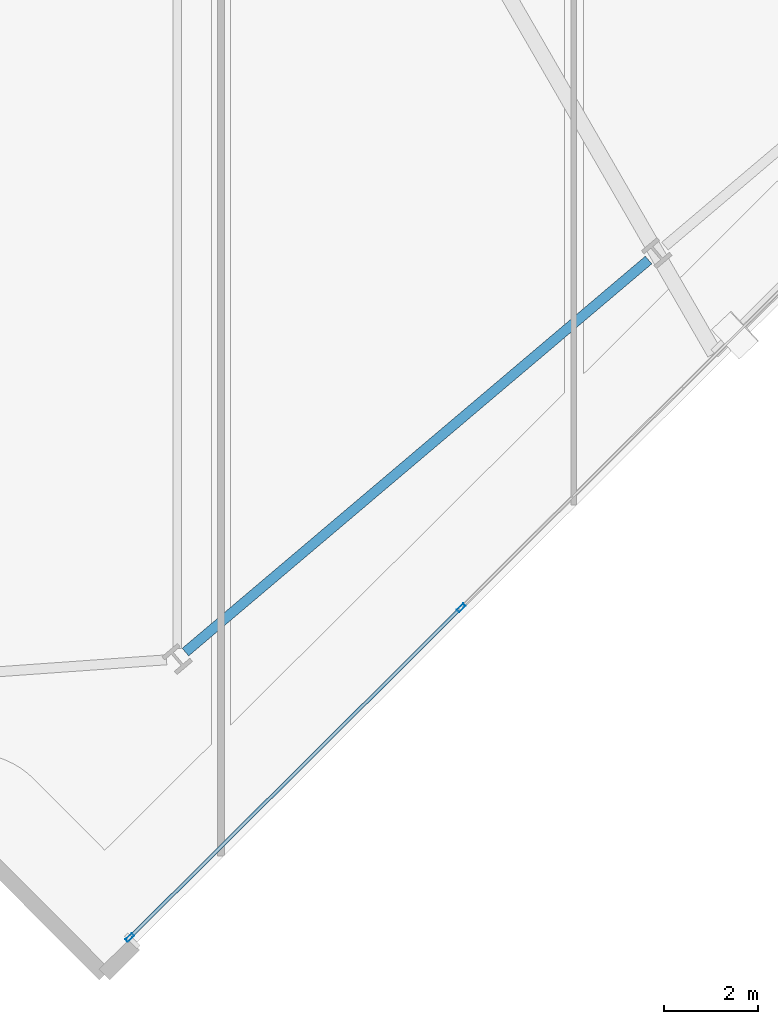
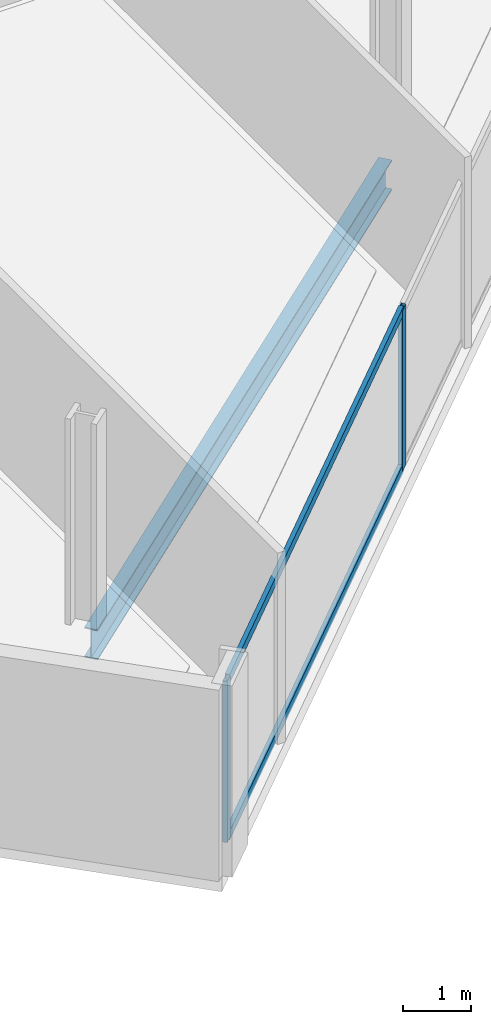
# One storey, part 6 of 32: 4 members, 1 beam, 1 element without a shape of its own.
"""IFC4 building model written with IfcOpenShell, lengths in metres."""

from ifc_helpers import new_model, si_unit, direction, frame, origin, origin_2d, place, context, subcontext, project, spatial, hollow_rectangle, i_section, extrude, material, material_profile, profile_set, type_object, element, aggregate, save


model = new_model("IFC4")

# Units and contexts
model_context = context("Model", 3, precision=1e-05, world=origin(), true_north=direction((0.0, 1.0)))
body_context = subcontext(model_context, "Body", "Model", "MODEL_VIEW")
ifc_project = project(units=[si_unit("LENGTHUNIT", "METRE"), si_unit("AREAUNIT", "SQUARE_METRE"), si_unit("VOLUMEUNIT", "CUBIC_METRE"), si_unit("PLANEANGLEUNIT", "RADIAN"), si_unit("MASSUNIT", "GRAM", prefix="KILO")], contexts=[model_context])

# Site, building, storey
site_placement = place(None, origin())
site = spatial("IfcSite", under=ifc_project, at=site_placement, CompositionType="ELEMENT")
building_placement = place(site_placement, origin())
building = spatial("IfcBuilding", under=site, at=building_placement, Name="Haldenkirk Collegiate Tower", CompositionType="ELEMENT")
storey_placement = place(building_placement, frame((0.0, 0.0, 178.199951171875)))
storey = spatial("IfcBuildingStorey", under=building, at=storey_placement, Name="L44", CompositionType="ELEMENT", Elevation=178.199951171875)

# Beam
ifc_material_1 = material(Name="Steel ASTM A992 Grade 50", Category="steel")
ifc_material_profile_1 = material_profile(ifc_material_1, i_section(OverallWidth=0.2119140625, OverallDepth=0.5439453125, WebThickness=0.01318359375, FlangeThickness=0.021240234375, at=origin_2d()), Name="W21X83")
ifc_profile_set_1 = profile_set([ifc_material_profile_1], Name="Steel ASTM A992 Grade 50")
beam_type = type_object("IfcBeamType", Name="BM-SPANDREL-W21X83", PredefinedType="SPANDREL", material=ifc_profile_set_1)
beam_placement = place(storey_placement, frame((39.743408203125, 1.261474609375, -0.56201171875), z_axis=(0.763233335078, 0.646122957514, 0.0), x_axis=(-0.646122957514, 0.763233335078, 0.0)))
element("IfcBeam", 1, at=beam_placement, inside=storey, type_object=beam_type, Name="L44 perimeter spandrel beam 02", PredefinedType="SPANDREL", context=body_context, shape_type="SweptSolid", body=[
    extrude(i_section(OverallWidth=0.2119140625, OverallDepth=0.5439453125, WebThickness=0.01318359375, FlangeThickness=0.021240234375, at=origin_2d()), origin(), (0.0, 0.0, 1.0), 12.898193359375),
])

# Curtain wall, members
ifc_material_2 = material(Name="Anodised architectural bronze aluminium", Category="aluminium")
curtain_wall_type = type_object("IfcCurtainWallType", Name="CW-SYS2-CONCAVE", PredefinedType="USERDEFINED", material=ifc_material_2)
curtain_wall_placement = place(storey_placement, origin())
curtain_wall = element("IfcCurtainWall", 2, at=curtain_wall_placement, inside=storey, type_object=curtain_wall_type, Name="L44 South concave recessed bronze-anodised curtain wall", ObjectType="UNITISED CURTAIN WALL", PredefinedType="USERDEFINED")
ifc_material_profile_2 = material_profile(ifc_material_2, hollow_rectangle(XDim=0.074951171875, YDim=0.18994140625, WallThickness=0.0048828125, at=origin_2d()), Name="CW-MUL-02")
ifc_profile_set_2 = profile_set([ifc_material_profile_2], Name="Anodised architectural bronze aluminium")
member_type_1 = type_object("IfcMemberType", Name="CW-MUL-02", PredefinedType="MULLION", material=ifc_profile_set_2)
member_1_placement = place(storey_placement, frame((45.60400390625, 2.201904296875, 0.0), z_axis=(0.0, 0.0, 1.0), x_axis=(0.705254740393, -0.708953983805, 0.0)))
member_1 = element("IfcMember", 3, at=member_1_placement, type_object=member_type_1, Name="CW-02 mullion 4", PredefinedType="MULLION", context=body_context, shape_type="SweptSolid", body=[
    extrude(hollow_rectangle(XDim=0.074951171875, YDim=0.18994140625, WallThickness=0.0048828125, at=origin_2d()), origin(), (0.0, 0.0, 1.0), 2.9111328125),
])
member_2_placement = place(storey_placement, frame((38.55859375, -4.806640625, 0.0), z_axis=(0.0, 0.0, 1.0), x_axis=(0.705254740393, -0.708953983805, 0.0)))
member_2 = element("IfcMember", 4, at=member_2_placement, type_object=member_type_1, Name="CW-02 mullion 5", PredefinedType="MULLION", context=body_context, shape_type="SweptSolid", body=[
    extrude(hollow_rectangle(XDim=0.074951171875, YDim=0.18994140625, WallThickness=0.0048828125, at=origin_2d()), origin(), (0.0, 0.0, 1.0), 2.9111328125),
])
ifc_material_profile_3 = material_profile(ifc_material_2, hollow_rectangle(XDim=0.074951171875, YDim=0.159912109375, WallThickness=0.0048828125, at=origin_2d()), Name="CW-TRN-02")
ifc_profile_set_3 = profile_set([ifc_material_profile_3], Name="Anodised architectural bronze aluminium")
member_type_2 = type_object("IfcMemberType", Name="CW-TRN-02", PredefinedType="USERDEFINED", material=ifc_profile_set_3)
member_3_placement = place(storey_placement, frame((45.577392578125, 2.17529296875, 0.03759765625), z_axis=(-0.708960910529, -0.705247777268, 0.0), x_axis=(0.705247777268, -0.708960910529, 0.0)))
member_3 = element("IfcMember", 5, at=member_3_placement, type_object=member_type_2, Name="CW-02 transom 4.1", ObjectType="TRANSOM", PredefinedType="USERDEFINED", context=body_context, shape_type="SweptSolid", body=[
    extrude(hollow_rectangle(XDim=0.074951171875, YDim=0.159912109375, WallThickness=0.0048828125, at=origin_2d()), origin(), (0.0, 0.0, 1.0), 9.862548828125),
])
member_4_placement = place(storey_placement, frame((45.577392578125, 2.17529296875, 2.87353515625), z_axis=(-0.708960910529, -0.705247777268, 0.0), x_axis=(0.705247777268, -0.708960910529, 0.0)))
member_4 = element("IfcMember", 6, at=member_4_placement, type_object=member_type_2, Name="CW-02 transom 4.2", ObjectType="TRANSOM", PredefinedType="USERDEFINED", context=body_context, shape_type="SweptSolid", body=[
    extrude(hollow_rectangle(XDim=0.074951171875, YDim=0.159912109375, WallThickness=0.0048828125, at=origin_2d()), origin(), (0.0, 0.0, 1.0), 9.862548828125),
])
aggregate(curtain_wall, [member_1, member_2, member_3, member_4])

save(model, "model.ifc")
